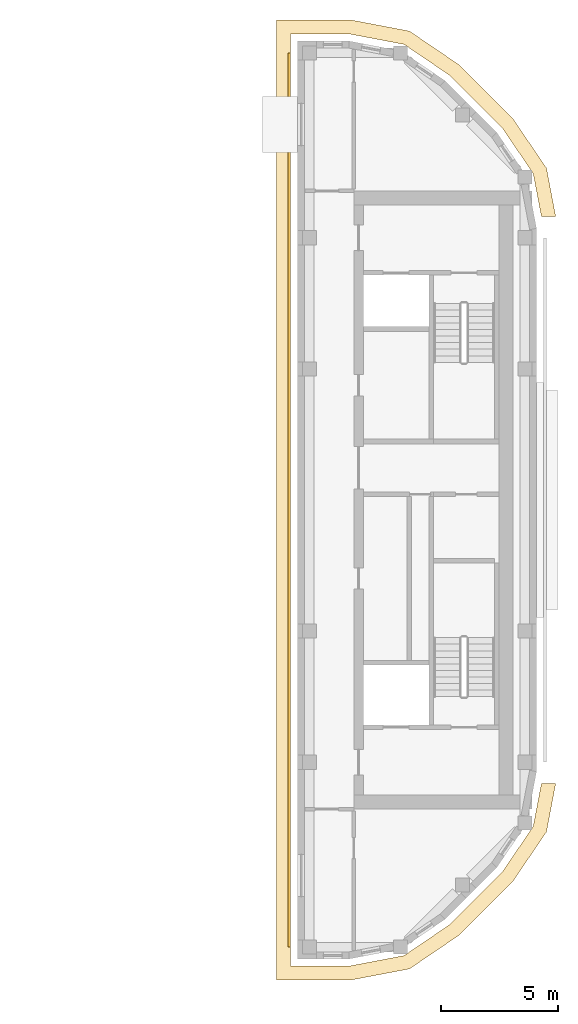
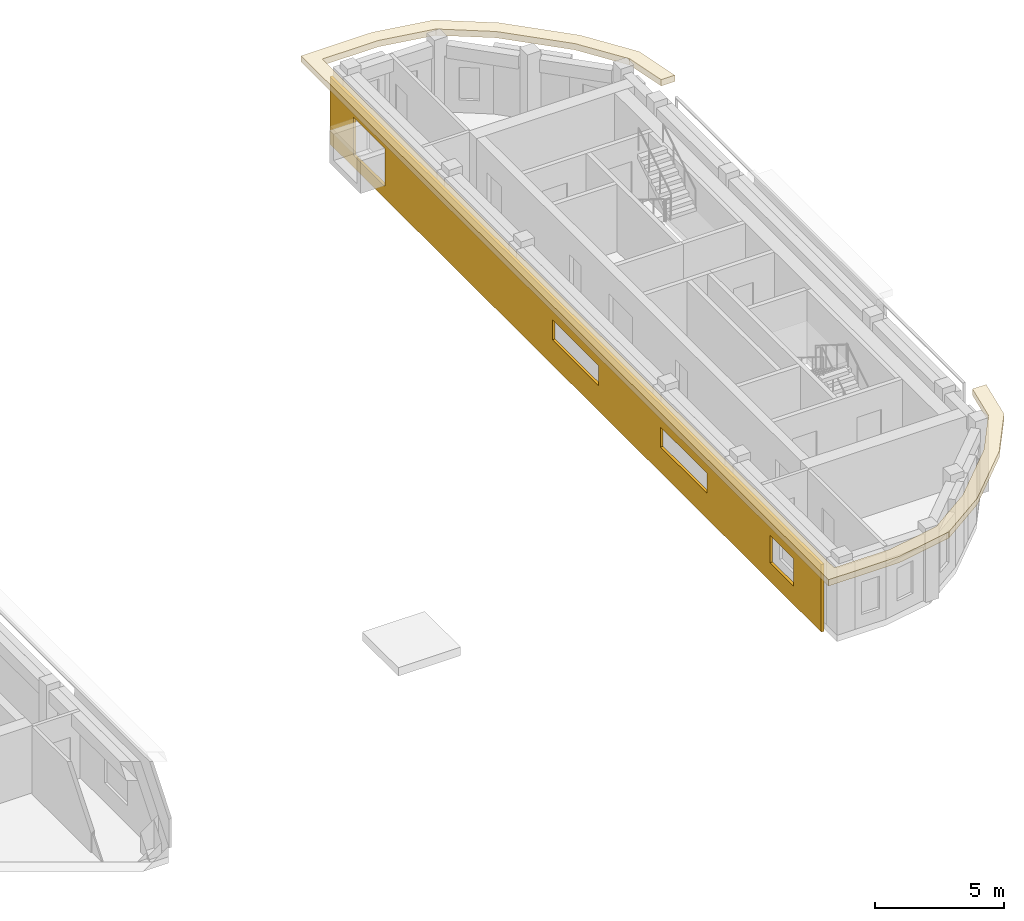
# One storey, part 10 of 11: 2 coverings.
"""IFC4 building model written with IfcOpenShell, lengths in metres."""

from ifc_helpers import new_model, si_unit, direction, frame, origin, place, context, subcontext, project, spatial, polyline, outline, extrude, material, layer, layer_set, type_object, element, save


model = new_model("IFC4")

# Units and contexts
model_context = context("Model", 3, precision=1e-05, world=origin(), true_north=direction((0.0, 1.0)))
body_context = subcontext(model_context, "Body", "Model", "MODEL_VIEW")
ifc_project = project(units=[si_unit("LENGTHUNIT", "METRE"), si_unit("AREAUNIT", "SQUARE_METRE"), si_unit("VOLUMEUNIT", "CUBIC_METRE"), si_unit("PLANEANGLEUNIT", "RADIAN"), si_unit("MASSUNIT", "GRAM", prefix="KILO")], contexts=[model_context])

# Site, building, storey
site_placement = place(None, origin())
site = spatial("IfcSite", under=ifc_project, at=site_placement, CompositionType="ELEMENT")
building_placement = place(site_placement, origin())
building = spatial("IfcBuilding", under=site, at=building_placement, Name="Kiln Ring Residences", CompositionType="ELEMENT")
storey_placement = place(building_placement, frame((0.0, 0.0, 303.39990234375)))
storey = spatial("IfcBuildingStorey", under=building, at=storey_placement, Name="L78 Crown", CompositionType="ELEMENT", Elevation=303.39990234375)

# Coverings
ifc_material_1 = material(Name="Brick masonry, dark clay brick", Category="masonry")
ifc_layer_1 = layer(ifc_material_1, 0.1201171875)
ifc_layer_set_1 = layer_set([ifc_layer_1], Name="RAINSCREEN PANEL 120")
covering_type_1 = type_object("IfcCoveringType", Name="RAINSCREEN PANEL 120", PredefinedType="CLADDING", material=ifc_layer_set_1)
covering_1_placement = place(storey_placement, frame((14.639892578125, 19.10009765625, 0.0), z_axis=(0.0, 0.0, 1.0), x_axis=(0.0, -1.0, 0.0)))
element("IfcCovering", 1, at=covering_1_placement, inside=storey, type_object=covering_type_1, Name="RAINSCREEN L78 Crown", PredefinedType="CLADDING", context=body_context, shape_type="SweptSolid", body=[
    extrude(outline(polyline([(0.0, 0.0), (38.199951171875, 0.0), (38.199951171875, 3.2001953125), (0.0, 3.2001953125), (0.0, 0.0)]), holes=[polyline([(4.282470703125, 0.580078125), (4.282470703125, 2.3701171875), (1.842529296875, 2.3701171875), (1.842529296875, 0.580078125), (4.282470703125, 0.580078125)]), polyline([(36.0576171875, 0.880126953125), (36.0576171875, 2.170166015625), (34.217529296875, 2.170166015625), (34.217529296875, 0.880126953125), (36.0576171875, 0.880126953125)]), polyline([(20.89990234375, 1.2001953125), (20.89990234375, 2.150146484375), (17.300048828125, 2.150146484375), (17.300048828125, 1.2001953125), (20.89990234375, 1.2001953125)]), polyline([(29.300048828125, 1.2001953125), (29.300048828125, 2.150146484375), (25.699951171875, 2.150146484375), (25.699951171875, 1.2001953125), (29.300048828125, 1.2001953125)])]), frame((0.0, 0.06005859375, 0.0), z_axis=(0.0, -1.0, 0.0), x_axis=(1.0, 0.0, 0.0)), (0.0, 0.0, 1.0), 0.1201171875),
])
ifc_material_2 = material(Name="Black powder-coated steel", Category="steel")
ifc_layer_2 = layer(ifc_material_2, 0.300048828125)
ifc_layer_set_2 = layer_set([ifc_layer_2], Name="SUNSHADE FIN 600")
covering_type_2 = type_object("IfcCoveringType", Name="SUNSHADE FIN 600", PredefinedType="CLADDING", material=ifc_layer_set_2)
covering_2_placement = place(storey_placement, frame((0.0, 0.0, 3.2001953125)))
element("IfcCovering", 2, at=covering_2_placement, inside=storey, type_object=covering_type_2, Name="SUNSHADE FIN L78 Crown", PredefinedType="CLADDING", context=body_context, shape_type="SweptSolid", body=[
    extrude(outline(polyline([(19.77587890625, 20.02490234375), (17.28515625, 20.5), (14.10009765625, 20.5), (14.10009765625, -20.5), (17.28515625, -20.5), (19.77587890625, -20.02490234375), (21.873291015625, -18.599609375), (24.199462890625, -16.273193359375), (25.625, -14.176025390625), (26.02099609375, -12.10009765625), (25.409912109375, -12.10009765625), (25.058837890625, -13.94140625), (23.735107421875, -15.88916015625), (21.489013671875, -18.135009765625), (19.54150390625, -19.458740234375), (17.228515625, -19.89990234375), (14.699951171875, -19.89990234375), (14.699951171875, 19.89990234375), (17.228515625, 19.89990234375), (19.54150390625, 19.458740234375), (21.489013671875, 18.135009765625), (23.735107421875, 15.88916015625), (25.058837890625, 13.94140625), (25.409912109375, 12.10009765625), (26.02099609375, 12.10009765625), (25.625, 14.176025390625), (24.199462890625, 16.273193359375), (21.873291015625, 18.599609375), (19.77587890625, 20.02490234375)])), origin(), (0.0, 0.0, 1.0), 0.2998046875),
])

save(model, "model.ifc")
